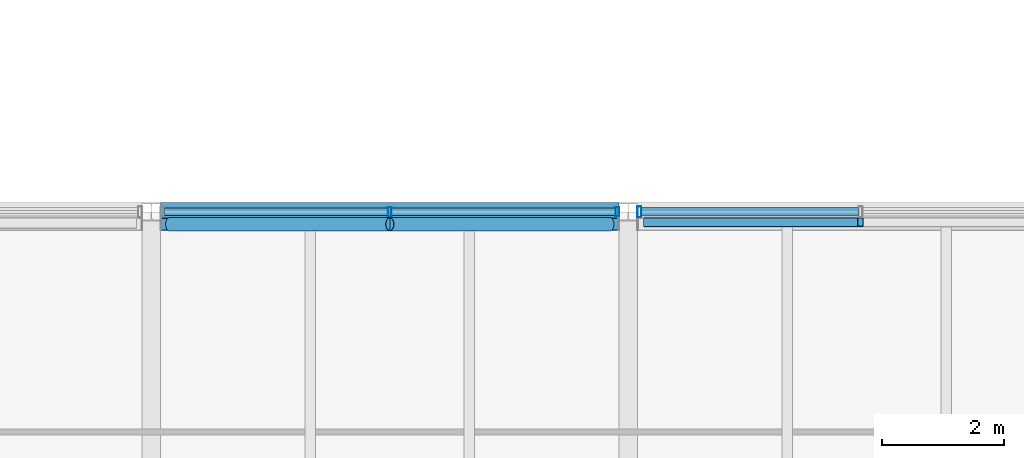
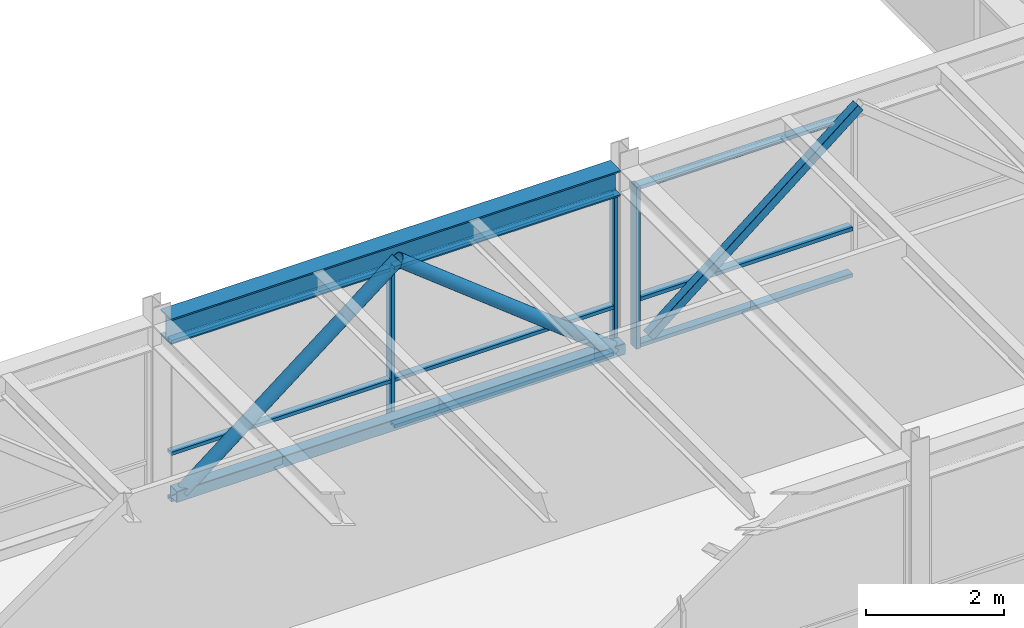
# One storey, part 25 of 49: 16 members, 1 beam, 2 elements without a shape of their own.
"""IFC4 building model written with IfcOpenShell, lengths in metres."""

from ifc_helpers import new_model, si_unit, direction, frame, origin, origin_2d, place, context, subcontext, project, spatial, hollow_rectangle, hollow_circle, i_section, extrude, material, material_profile, profile_set, type_object, element, aggregate, save


model = new_model("IFC4")

# Units and contexts
model_context = context("Model", 3, precision=1e-05, world=origin(), true_north=direction((0.0, 1.0)))
body_context = subcontext(model_context, "Body", "Model", "MODEL_VIEW")
ifc_project = project(units=[si_unit("LENGTHUNIT", "METRE"), si_unit("AREAUNIT", "SQUARE_METRE"), si_unit("VOLUMEUNIT", "CUBIC_METRE"), si_unit("PLANEANGLEUNIT", "RADIAN"), si_unit("MASSUNIT", "GRAM", prefix="KILO"), si_unit("THERMODYNAMICTEMPERATUREUNIT", "KELVIN"), si_unit("POWERUNIT", "WATT")], contexts=[model_context])

# Site, building, storey
site_placement = place(None, origin())
site = spatial("IfcSite", under=ifc_project, at=site_placement, CompositionType="ELEMENT")
building_placement = place(site_placement, origin())
building = spatial("IfcBuilding", under=site, at=building_placement, Name="Srebrne Nadtorze General Hospital", CompositionType="ELEMENT")
storey_placement = place(building_placement, frame((0.0, 0.0, 26.10009765625)))
storey = spatial("IfcBuildingStorey", under=building, at=storey_placement, Name="L06", CompositionType="ELEMENT", Elevation=26.10009765625)

# Beam
ifc_material_1 = material(Name="Steel S355J2", Category="steel")
ifc_material_profile_1 = material_profile(ifc_material_1, i_section(OverallWidth=0.300048828125, OverallDepth=0.449951171875, WebThickness=0.013916015625, FlangeThickness=0.02587890625, FilletRadius=0.027099609375, at=origin_2d()), Name="HEB-450")
ifc_profile_set_1 = profile_set([ifc_material_profile_1], Name="Steel S355J2")
beam_type = type_object("IfcBeamType", Name="Courtyard bridge girder HEB 450", PredefinedType="BEAM", material=ifc_profile_set_1)
beam_placement = place(storey_placement, frame((85.949951171875, 58.800048828125, 3.074951171875), z_axis=(1.0, 0.0, 0.0), x_axis=(0.0, 1.0, 0.0)))
element("IfcBeam", 1, at=beam_placement, inside=storey, type_object=beam_type, Name="Beam BM-L06-X-1170", PredefinedType="BEAM", context=body_context, shape_type="SweptSolid", body=[
    extrude(i_section(OverallWidth=0.300048828125, OverallDepth=0.449951171875, WebThickness=0.013916015625, FlangeThickness=0.02587890625, FilletRadius=0.027099609375, at=origin_2d()), origin(), (0.0, 0.0, 1.0), 7.5),
])

# Curtain wall, members
ifc_material_2 = material(Name="Anodised Aluminium", Category="aluminium")
curtain_wall_type_1 = type_object("IfcCurtainWallType", Name="Bridge curtain wall 7500x2850", PredefinedType="NOTDEFINED", material=ifc_material_2)
curtain_wall_1_placement = place(storey_placement, origin())
curtain_wall_1 = element("IfcCurtainWall", 2, at=curtain_wall_1_placement, inside=storey, type_object=curtain_wall_type_1, Name="Curtain wall CW-148", PredefinedType="NOTDEFINED")
ifc_material_3 = material(Name="Anodised Aluminium", Category="aluminium")
ifc_material_profile_2 = material_profile(ifc_material_3, hollow_rectangle(XDim=0.06005859375, YDim=0.14990234375, WallThickness=0.00390625, at=origin_2d()), Name="AL-MUL-60x150")
ifc_profile_set_2 = profile_set([ifc_material_profile_2], Name="Anodised Aluminium")
member_type_1 = type_object("IfcMemberType", Name="Curtain mullion 60x150", PredefinedType="MULLION", material=ifc_profile_set_2)
member_1_placement = place(storey_placement, frame((89.699951171875, 58.800048828125, 0.0), z_axis=(0.0, 0.0, 1.0), x_axis=(1.0, 0.0, 0.0)))
member_1 = element("IfcMember", 3, at=member_1_placement, type_object=member_type_1, Name="CW-148 mullion 2", PredefinedType="MULLION", context=body_context, shape_type="SweptSolid", body=[
    extrude(hollow_rectangle(XDim=0.06005859375, YDim=0.14990234375, WallThickness=0.00390625, at=origin_2d()), origin(), (0.0, 0.0, 1.0), 2.849853515625),
])
member_2_placement = place(storey_placement, frame((93.419921875, 58.800048828125, 0.0), z_axis=(0.0, 0.0, 1.0), x_axis=(1.0, 0.0, 0.0)))
member_2 = element("IfcMember", 4, at=member_2_placement, type_object=member_type_1, Name="CW-148 mullion 3", PredefinedType="MULLION", context=body_context, shape_type="SweptSolid", body=[
    extrude(hollow_rectangle(XDim=0.06005859375, YDim=0.14990234375, WallThickness=0.00390625, at=origin_2d()), origin(), (0.0, 0.0, 1.0), 2.849853515625),
])

# Curtain wall, member
ifc_material_4 = material(Name="Anodised Aluminium", Category="aluminium")
curtain_wall_type_2 = type_object("IfcCurtainWallType", Name="Bridge curtain wall 7300x2850", PredefinedType="NOTDEFINED", material=ifc_material_4)
curtain_wall_2_placement = place(storey_placement, origin())
curtain_wall_2 = element("IfcCurtainWall", 5, at=curtain_wall_2_placement, inside=storey, type_object=curtain_wall_type_2, Name="Curtain wall CW-149", PredefinedType="NOTDEFINED")
ifc_material_5 = material(Name="Anodised Aluminium", Category="aluminium")
ifc_material_profile_3 = material_profile(ifc_material_5, hollow_rectangle(XDim=0.06494140625, YDim=0.179931640625, WallThickness=0.00390625, at=origin_2d()), Name="AL-MUL-65x180")
ifc_profile_set_3 = profile_set([ifc_material_profile_3], Name="Anodised Aluminium")
member_type_2 = type_object("IfcMemberType", Name="Curtain mullion 65x180", PredefinedType="MULLION", material=ifc_profile_set_3)
member_3_placement = place(storey_placement, frame((93.782470703125, 58.800048828125, 0.0), z_axis=(0.0, 0.0, 1.0), x_axis=(1.0, 0.0, 0.0)))
member_3 = element("IfcMember", 6, at=member_3_placement, type_object=member_type_2, Name="CW-149 mullion 1", PredefinedType="MULLION", context=body_context, shape_type="SweptSolid", body=[
    extrude(hollow_rectangle(XDim=0.06494140625, YDim=0.179931640625, WallThickness=0.00390625, at=origin_2d()), origin(), (0.0, 0.0, 1.0), 2.849853515625),
])

# Member
ifc_material_6 = material(Name="Anodised Aluminium", Category="aluminium")
ifc_material_profile_4 = material_profile(ifc_material_6, hollow_rectangle(XDim=0.06005859375, YDim=0.1201171875, WallThickness=0.00390625, at=origin_2d()), Name="AL-TRN-60x120")
ifc_profile_set_4 = profile_set([ifc_material_profile_4], Name="Anodised Aluminium")
member_type_3 = type_object("IfcMemberType", Name="Curtain transom 60x120", PredefinedType="USERDEFINED", material=ifc_profile_set_4)
member_4_placement = place(storey_placement, frame((86.010009765625, 58.800048828125, 0.02978515625), z_axis=(1.0, 0.0, 0.0), x_axis=(0.0, 0.0, 1.0)))
member_4 = element("IfcMember", 7, at=member_4_placement, type_object=member_type_3, Name="CW-148 transom 1.1", ObjectType="TRANSOM", PredefinedType="USERDEFINED", context=body_context, shape_type="SweptSolid", body=[
    extrude(hollow_rectangle(XDim=0.06005859375, YDim=0.1201171875, WallThickness=0.00390625, at=origin_2d()), origin(), (0.0, 0.0, 1.0), 3.659912109375),
])

member_5_placement = place(storey_placement, frame((86.010009765625, 58.800048828125, 0.849853515625), z_axis=(1.0, 0.0, 0.0), x_axis=(0.0, 0.0, 1.0)))
member_5 = element("IfcMember", 8, at=member_5_placement, type_object=member_type_3, Name="CW-148 transom 1.2", ObjectType="TRANSOM", PredefinedType="USERDEFINED", context=body_context, shape_type="SweptSolid", body=[
    extrude(hollow_rectangle(XDim=0.06005859375, YDim=0.1201171875, WallThickness=0.00390625, at=origin_2d()), origin(), (0.0, 0.0, 1.0), 3.659912109375),
])

member_6_placement = place(storey_placement, frame((86.010009765625, 58.800048828125, 2.81982421875), z_axis=(1.0, 0.0, 0.0), x_axis=(0.0, 0.0, 1.0)))
member_6 = element("IfcMember", 9, at=member_6_placement, type_object=member_type_3, Name="CW-148 transom 1.3", ObjectType="TRANSOM", PredefinedType="USERDEFINED", context=body_context, shape_type="SweptSolid", body=[
    extrude(hollow_rectangle(XDim=0.06005859375, YDim=0.1201171875, WallThickness=0.00390625, at=origin_2d()), origin(), (0.0, 0.0, 1.0), 3.659912109375),
])

member_7_placement = place(storey_placement, frame((89.72998046875, 58.800048828125, 0.02978515625), z_axis=(1.0, 0.0, 0.0), x_axis=(0.0, 0.0, 1.0)))
member_7 = element("IfcMember", 10, at=member_7_placement, type_object=member_type_3, Name="CW-148 transom 2.1", ObjectType="TRANSOM", PredefinedType="USERDEFINED", context=body_context, shape_type="SweptSolid", body=[
    extrude(hollow_rectangle(XDim=0.06005859375, YDim=0.1201171875, WallThickness=0.00390625, at=origin_2d()), origin(), (0.0, 0.0, 1.0), 3.659912109375),
])

member_8_placement = place(storey_placement, frame((89.72998046875, 58.800048828125, 0.849853515625), z_axis=(1.0, 0.0, 0.0), x_axis=(0.0, 0.0, 1.0)))
member_8 = element("IfcMember", 11, at=member_8_placement, type_object=member_type_3, Name="CW-148 transom 2.2", ObjectType="TRANSOM", PredefinedType="USERDEFINED", context=body_context, shape_type="SweptSolid", body=[
    extrude(hollow_rectangle(XDim=0.06005859375, YDim=0.1201171875, WallThickness=0.00390625, at=origin_2d()), origin(), (0.0, 0.0, 1.0), 3.659912109375),
])

member_9_placement = place(storey_placement, frame((89.72998046875, 58.800048828125, 2.81982421875), z_axis=(1.0, 0.0, 0.0), x_axis=(0.0, 0.0, 1.0)))
member_9 = element("IfcMember", 12, at=member_9_placement, type_object=member_type_3, Name="CW-148 transom 2.3", ObjectType="TRANSOM", PredefinedType="USERDEFINED", context=body_context, shape_type="SweptSolid", body=[
    extrude(hollow_rectangle(XDim=0.06005859375, YDim=0.1201171875, WallThickness=0.00390625, at=origin_2d()), origin(), (0.0, 0.0, 1.0), 3.659912109375),
])

aggregate(curtain_wall_1, [member_1, member_2, member_4, member_5, member_6, member_7, member_8, member_9])

ifc_material_7 = material(Name="Anodised Aluminium", Category="aluminium")
ifc_material_profile_5 = material_profile(ifc_material_7, hollow_rectangle(XDim=0.06494140625, YDim=0.139892578125, WallThickness=0.00390625, at=origin_2d()), Name="AL-TRN-65x140")
ifc_profile_set_5 = profile_set([ifc_material_profile_5], Name="Anodised Aluminium")
member_type_4 = type_object("IfcMemberType", Name="Curtain transom 65x140", PredefinedType="USERDEFINED", material=ifc_profile_set_5)
member_10_placement = place(storey_placement, frame((93.81494140625, 58.800048828125, 0.032470703125), z_axis=(1.0, 0.0, 0.0), x_axis=(0.0, 0.0, 1.0)))
member_10 = element("IfcMember", 13, at=member_10_placement, type_object=member_type_4, Name="CW-149 transom 1.1", ObjectType="TRANSOM", PredefinedType="USERDEFINED", context=body_context, shape_type="SweptSolid", body=[
    extrude(hollow_rectangle(XDim=0.06494140625, YDim=0.139892578125, WallThickness=0.00390625, at=origin_2d()), origin(), (0.0, 0.0, 1.0), 3.552490234375),
])

member_11_placement = place(storey_placement, frame((93.81494140625, 58.800048828125, 0.849853515625), z_axis=(1.0, 0.0, 0.0), x_axis=(0.0, 0.0, 1.0)))
member_11 = element("IfcMember", 14, at=member_11_placement, type_object=member_type_4, Name="CW-149 transom 1.2", ObjectType="TRANSOM", PredefinedType="USERDEFINED", context=body_context, shape_type="SweptSolid", body=[
    extrude(hollow_rectangle(XDim=0.06494140625, YDim=0.139892578125, WallThickness=0.00390625, at=origin_2d()), origin(), (0.0, 0.0, 1.0), 3.552490234375),
])

member_12_placement = place(storey_placement, frame((93.81494140625, 58.800048828125, 2.8173828125), z_axis=(1.0, 0.0, 0.0), x_axis=(0.0, 0.0, 1.0)))
member_12 = element("IfcMember", 15, at=member_12_placement, type_object=member_type_4, Name="CW-149 transom 1.3", ObjectType="TRANSOM", PredefinedType="USERDEFINED", context=body_context, shape_type="SweptSolid", body=[
    extrude(hollow_rectangle(XDim=0.06494140625, YDim=0.139892578125, WallThickness=0.00390625, at=origin_2d()), origin(), (0.0, 0.0, 1.0), 3.552490234375),
])

aggregate(curtain_wall_2, [member_3, member_10, member_11, member_12])

# Members
ifc_material_8 = material(Name="Steel S355J2", Category="steel")
ifc_material_profile_6 = material_profile(ifc_material_8, hollow_circle(Radius=0.109619140625, WallThickness=0.008056640625, at=origin_2d()), Name="CHS-219.1x8")
ifc_profile_set_6 = profile_set([ifc_material_profile_6], Name="Steel S355J2")
member_type_5 = type_object("IfcMemberType", Name="Diagonal brace CHS 219.1x8", PredefinedType="BRACE", material=ifc_profile_set_6)
member_13_placement = place(storey_placement, frame((86.10009765625, 58.595458984375, 0.25), z_axis=(0.786172155182, 0.0, 0.618007558543), x_axis=(0.0, 1.0, 0.0)))
element("IfcMember", 16, at=member_13_placement, inside=storey, type_object=member_type_5, Name="Clinical courtyard bridge brace 45", PredefinedType="BRACE", context=body_context, shape_type="SweptSolid", body=[
    extrude(hollow_circle(Radius=0.109619140625, WallThickness=0.008056640625, at=origin_2d()), origin(), (0.0, 0.0, 1.0), 4.578857421875),
])
member_14_placement = place(storey_placement, frame((93.300048828125, 58.595458984375, 0.25), z_axis=(-0.786192517778, 0.0, 0.61798165425), x_axis=(0.0, -1.0, 0.0)))
element("IfcMember", 17, at=member_14_placement, inside=storey, type_object=member_type_5, Name="Clinical courtyard bridge brace 46", PredefinedType="BRACE", context=body_context, shape_type="SweptSolid", body=[
    extrude(hollow_circle(Radius=0.109619140625, WallThickness=0.008056640625, at=origin_2d()), origin(), (0.0, 0.0, 1.0), 4.5791015625),
])
ifc_material_9 = material(Name="Steel S355J2", Category="steel")
ifc_material_profile_7 = material_profile(ifc_material_9, hollow_rectangle(XDim=0.199951171875, YDim=0.199951171875, WallThickness=0.010009765625, InnerFilletRadius=0.010009765625, OuterFilletRadius=0.014892578125, at=origin_2d()), Name="SHS-200x200x10")
ifc_profile_set_7 = profile_set([ifc_material_profile_7], Name="Steel S355J2")
member_type_6 = type_object("IfcMemberType", Name="Truss chord SHS 200x200x10", PredefinedType="CHORD", material=ifc_profile_set_7)
member_15_placement = place(storey_placement, frame((85.9619140625, 58.594970703125, 0.25), z_axis=(1.0, 0.0, 0.0), x_axis=(0.0, 1.0, 0.0)))
element("IfcMember", 18, at=member_15_placement, inside=storey, type_object=member_type_6, Name="Clinical courtyard bridge truss chord 23", PredefinedType="CHORD", context=body_context, shape_type="SweptSolid", body=[
    extrude(hollow_rectangle(XDim=0.199951171875, YDim=0.199951171875, WallThickness=0.010009765625, InnerFilletRadius=0.010009765625, OuterFilletRadius=0.014892578125, at=origin_2d()), origin(), (0.0, 0.0, 1.0), 7.47607421875),
])
ifc_material_10 = material(Name="Steel S355J2", Category="steel")
ifc_material_profile_8 = material_profile(ifc_material_10, hollow_rectangle(XDim=0.14990234375, YDim=0.14990234375, WallThickness=0.00634765625, InnerFilletRadius=0.006103515625, OuterFilletRadius=0.009033203125, at=origin_2d()), Name="SHS-150x150x6.3")
ifc_profile_set_8 = profile_set([ifc_material_profile_8], Name="Steel S355J2")
member_type_7 = type_object("IfcMemberType", Name="Wind brace SHS 150x150x6.3", PredefinedType="BRACE", material=ifc_profile_set_8)
member_16_placement = place(storey_placement, frame((93.89990234375, 58.6298828125, 0.25), z_axis=(0.777624948613, 0.0, 0.628728430481), x_axis=(0.0, 1.0, 0.0)))
element("IfcMember", 19, at=member_16_placement, inside=storey, type_object=member_type_7, Name="Clinical courtyard bridge brace 47", PredefinedType="BRACE", context=body_context, shape_type="SweptSolid", body=[
    extrude(hollow_rectangle(XDim=0.14990234375, YDim=0.14990234375, WallThickness=0.00634765625, InnerFilletRadius=0.006103515625, OuterFilletRadius=0.009033203125, at=origin_2d()), origin(), (0.0, 0.0, 1.0), 4.5009765625),
])

save(model, "model.ifc")
